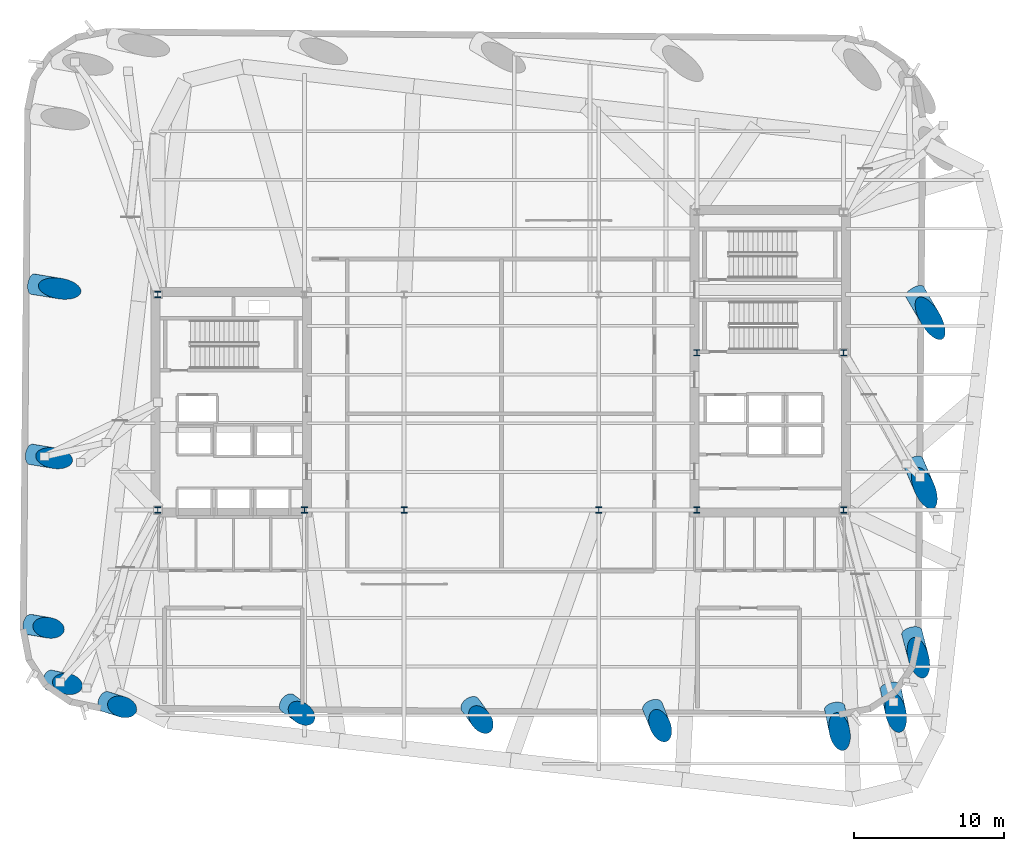
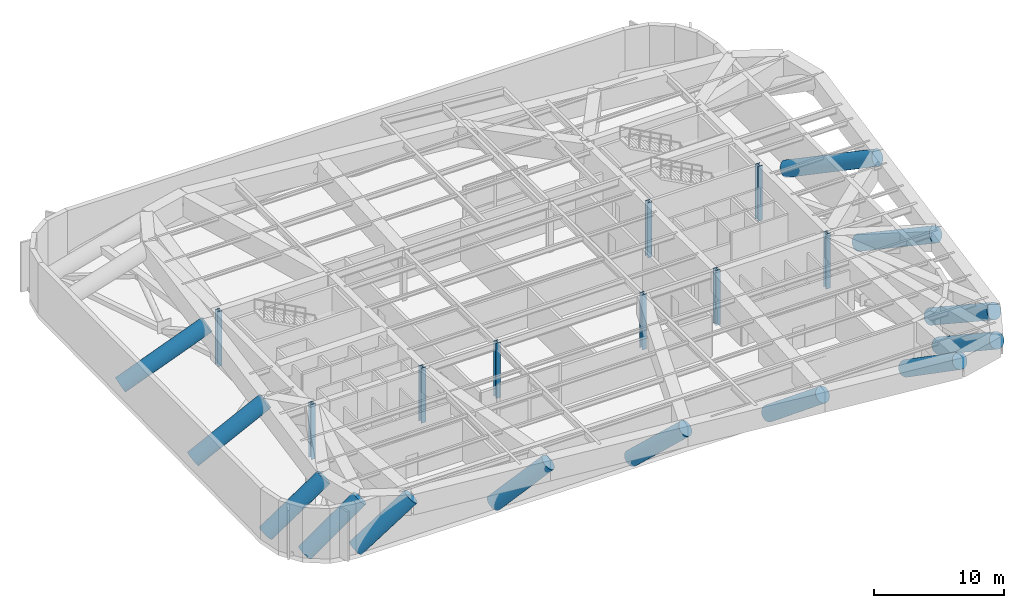
# One storey, part 1 of 13: 22 columns.
"""IFC4 building model written with IfcOpenShell, lengths in metres."""

from ifc_helpers import new_model, si_unit, direction, frame, origin, origin_2d, place, context, subcontext, project, spatial, circle, i_section, extrude, material, material_profile, profile_set, type_object, element, save


model = new_model("IFC4")

# Units and contexts
model_context = context("Model", 3, precision=1e-05, world=origin(), true_north=direction((0.0, 1.0)))
body_context = subcontext(model_context, "Body", "Model", "MODEL_VIEW")
ifc_project = project(units=[si_unit("LENGTHUNIT", "METRE"), si_unit("AREAUNIT", "SQUARE_METRE"), si_unit("VOLUMEUNIT", "CUBIC_METRE"), si_unit("PLANEANGLEUNIT", "RADIAN"), si_unit("MASSUNIT", "GRAM", prefix="KILO")], contexts=[model_context])

# Site, building, storey
site_placement = place(None, origin())
site = spatial("IfcSite", under=ifc_project, at=site_placement, CompositionType="ELEMENT")
building_placement = place(site_placement, origin())
building = spatial("IfcBuilding", under=site, at=building_placement, Name="Kolvaren Arena Tower", CompositionType="ELEMENT")
storey_placement = place(building_placement, frame((0.0, 0.0, 210.949951171875)))
storey = spatial("IfcBuildingStorey", under=building, at=storey_placement, Name="L51", CompositionType="ELEMENT", Elevation=210.949951171875)

# Columns
ifc_material_1 = material(Name="Steel ASTM A913 Grade 65", Category="steel")
ifc_material_profile_1 = material_profile(ifc_material_1, i_section(OverallWidth=0.406005859375, OverallDepth=0.416015625, WebThickness=0.02978515625, FlangeThickness=0.048095703125, FilletRadius=0.02001953125, at=origin_2d()), Name="W360x382")
ifc_profile_set_1 = profile_set([ifc_material_profile_1], Name="Steel ASTM A913 Grade 65")
column_type_1 = type_object("IfcColumnType", Name="SCOL-Z3", PredefinedType="COLUMN", material=ifc_profile_set_1)
for number, where, z_axis, x_axis, name in (
    (1, (14.550048828125, 19.449951171875, -0.419921875), (0.0, 0.0, 1.0), (1.0, 0.0, 0.0), "Core Boundary Column WC-SW (L51)"),
    (2, (24.35009765625, 19.449951171875, -0.419921875), (0.0, 0.0, 1.0), (1.0, 0.0, 0.0), "Core Boundary Column WC-SE (L51)"),
    (3, (14.550048828125, 33.85009765625, -0.419921875), (0.0, 0.0, 1.0), (1.0, 0.0, 0.0), "Core Boundary Column WC-NW (L51)"),
    (4, (50.550048828125, 19.449951171875, -0.419921875), (0.0, 0.0, 1.0), (1.0, 0.0, 0.0), "Core Boundary Column EC-SW (L51)"),
    (5, (60.35009765625, 19.449951171875, -0.419921875), (0.0, 0.0, 1.0), (1.0, 0.0, 0.0), "Core Boundary Column EC-SE (L51)"),
    (6, (50.550048828125, 29.949951171875, -0.419921875), (0.0, 0.0, 1.0), (1.0, 0.0, 0.0), "Core Boundary Column EC-MW (L51)"),
    (7, (60.35009765625, 29.949951171875, -0.419921875), (0.0, 0.0, 1.0), (1.0, 0.0, 0.0), "Core Boundary Column EC-ME (L51)"),
    (8, (31.0, 19.449951171875, -0.419921875), (0.0, 0.0, 1.0), (1.0, 0.0, 0.0), "Interior Gravity Column TC-SW (L51)"),
    (9, (44.0, 19.449951171875, -0.419921875), (0.0, 0.0, 1.0), (1.0, 0.0, 0.0), "Interior Gravity Column TC-SE (L51)"),
):
    element("IfcColumn", number, at=place(storey_placement, frame(where, z_axis=z_axis, x_axis=x_axis)), inside=storey, type_object=column_type_1, Name=name, PredefinedType="COLUMN", context=body_context, shape_type="SweptSolid", body=[
        extrude(i_section(OverallWidth=0.406005859375, OverallDepth=0.416015625, WebThickness=0.02978515625, FlangeThickness=0.048095703125, FilletRadius=0.02001953125, at=origin_2d()), origin(), (0.0, 0.0, 1.0), 5.169921875),
    ])
ifc_material_2 = material(Name="Concrete 80 MPa", Category="concrete")
ifc_material_profile_2 = material_profile(ifc_material_2, circle(Radius=0.68994140625, at=origin_2d()), Name="RC-CIRC-1380")
ifc_profile_set_2 = profile_set([ifc_material_profile_2], Name="Concrete 80 MPa")
column_type_2 = type_object("IfcColumnType", Name="TRCOL-C900", PredefinedType="COLUMN", material=ifc_profile_set_2)
column_1_placement = place(storey_placement, frame((11.0576171875, 6.663330078125, 0.08642578125), z_axis=(0.689502465211, -0.218057841813, 0.690678744491), x_axis=(0.301533994495, 0.953455426417, 0.0)))
element("IfcColumn", 10, at=column_1_placement, inside=storey, type_object=column_type_2, Name="Cantilever Block Inclined Transfer Column 01 (L51)", PredefinedType="COLUMN", context=body_context, shape_type="SweptSolid", body=[
    extrude(circle(Radius=0.68994140625, at=origin_2d()), origin(), (0.0, 0.0, 1.0), 6.01904296875),
])
column_2_placement = place(storey_placement, frame((23.232177734375, 6.55712890625, 0.080078125), z_axis=(0.575626209641, -0.421825120496, 0.700512694027), x_axis=(0.591089562415, 0.806605931793, 0.0)))
element("IfcColumn", 11, at=column_2_placement, inside=storey, type_object=column_type_2, Name="Cantilever Block Inclined Transfer Column 02 (L51)", PredefinedType="COLUMN", context=body_context, shape_type="SweptSolid", body=[
    extrude(circle(Radius=0.68994140625, at=origin_2d()), origin(), (0.0, 0.0, 1.0), 5.95263671875),
])
column_3_placement = place(storey_placement, frame((35.40673828125, 6.45068359375, 0.10009765625), z_axis=(0.437775224398, -0.600769486431, 0.668901246131), x_axis=(0.808190560753, 0.588921062206, 0.0)))
element("IfcColumn", 12, at=column_3_placement, inside=storey, type_object=column_type_2, Name="Cantilever Block Inclined Transfer Column 03 (L51)", PredefinedType="COLUMN", context=body_context, shape_type="SweptSolid", body=[
    extrude(circle(Radius=0.68994140625, at=origin_2d()), origin(), (0.0, 0.0, 1.0), 6.174072265625),
])
column_4_placement = place(storey_placement, frame((47.581298828125, 6.344482421875, 0.1357421875), z_axis=(0.296750915851, -0.735910055568, 0.608584656441), x_axis=(0.927435793905, 0.373982416943, 0.0)))
element("IfcColumn", 13, at=column_4_placement, inside=storey, type_object=column_type_2, Name="Cantilever Block Inclined Transfer Column 04 (L51)", PredefinedType="COLUMN", context=body_context, shape_type="SweptSolid", body=[
    extrude(circle(Radius=0.68994140625, at=origin_2d()), origin(), (0.0, 0.0, 1.0), 6.6689453125),
])
column_5_placement = place(storey_placement, frame((59.755859375, 6.23828125, 0.173095703125), z_axis=(0.169718625876, -0.82536118059, 0.538492812957), x_axis=(0.979505927574, 0.201415336672, 0.0)))
element("IfcColumn", 14, at=column_5_placement, inside=storey, type_object=column_type_2, Name="Cantilever Block Inclined Transfer Column 05 (L51)", PredefinedType="COLUMN", context=body_context, shape_type="SweptSolid", body=[
    extrude(circle(Radius=0.68994140625, at=origin_2d()), origin(), (0.0, 0.0, 1.0), 7.398193359375),
])
column_6_placement = place(storey_placement, frame((63.4765625, 7.59716796875, 0.186767578125), z_axis=(0.178036276609, -0.840630425009, 0.511511068073), x_axis=(0.978300047413, 0.207193188191, 0.0)))
element("IfcColumn", 15, at=column_6_placement, inside=storey, type_object=column_type_2, Name="Cantilever Block Inclined Transfer Column 06 (L51)", PredefinedType="COLUMN", context=body_context, shape_type="SweptSolid", body=[
    extrude(circle(Radius=0.68994140625, at=origin_2d()), origin(), (0.0, 0.0, 1.0), 7.735595703125),
])
column_7_placement = place(storey_placement, frame((64.900146484375, 11.293701171875, 0.1943359375), z_axis=(0.22099242917, -0.839691339256, 0.496065319316), x_axis=(0.967068577751, 0.254515944347, 0.0)))
element("IfcColumn", 16, at=column_7_placement, inside=storey, type_object=column_type_2, Name="Cantilever Block Inclined Transfer Column 07 (L51)", PredefinedType="COLUMN", context=body_context, shape_type="SweptSolid", body=[
    extrude(circle(Radius=0.68994140625, at=origin_2d()), origin(), (0.0, 0.0, 1.0), 7.9453125),
])
column_8_placement = place(storey_placement, frame((64.999267578125, 22.659912109375, 0.208740234375), z_axis=(0.34861189337, -0.813679316814, 0.465183530653), x_axis=(0.919189122107, 0.393816401131, 0.0)))
element("IfcColumn", 17, at=column_8_placement, inside=storey, type_object=column_type_2, Name="Cantilever Block Inclined Transfer Column 08 (L51)", PredefinedType="COLUMN", context=body_context, shape_type="SweptSolid", body=[
    extrude(circle(Radius=0.68994140625, at=origin_2d()), origin(), (0.0, 0.0, 1.0), 8.410888671875),
])
column_9_placement = place(storey_placement, frame((65.098388671875, 34.026123046875, 0.224365234375), z_axis=(0.45602536222, -0.778722653242, 0.430850204061), x_axis=(0.862923768629, 0.505334116734, 0.0)))
element("IfcColumn", 18, at=column_9_placement, inside=storey, type_object=column_type_2, Name="Cantilever Block Inclined Transfer Column 09 (L51)", PredefinedType="COLUMN", context=body_context, shape_type="SweptSolid", body=[
    extrude(circle(Radius=0.68994140625, at=origin_2d()), origin(), (0.0, 0.0, 1.0), 9.009033203125),
])
column_10_placement = place(storey_placement, frame((6.20068359375, 34.5400390625, 0.20166015625), z_axis=(0.865340354074, -0.141558216189, 0.48077785207), x_axis=(0.161440882003, 0.986882384896, 0.0)))
element("IfcColumn", 19, at=column_10_placement, inside=storey, type_object=column_type_2, Name="Cantilever Block Inclined Transfer Column 19 (L51)", PredefinedType="COLUMN", context=body_context, shape_type="SweptSolid", body=[
    extrude(circle(Radius=0.68994140625, at=origin_2d()), origin(), (0.0, 0.0, 1.0), 8.16796875),
])
column_11_placement = place(storey_placement, frame((6.1015625, 23.173828125, 0.163818359375), z_axis=(0.819389125364, -0.136904398867, 0.556649482895), x_axis=(0.164796649257, 0.98632756445, 0.0)))
element("IfcColumn", 20, at=column_11_placement, inside=storey, type_object=column_type_2, Name="Cantilever Block Inclined Transfer Column 20 (L51)", PredefinedType="COLUMN", context=body_context, shape_type="SweptSolid", body=[
    extrude(circle(Radius=0.68994140625, at=origin_2d()), origin(), (0.0, 0.0, 1.0), 7.190185546875),
])
column_12_placement = place(storey_placement, frame((6.002197265625, 11.8076171875, 0.11083984375), z_axis=(0.747700596596, -0.128791089044, 0.651426644552), x_axis=(0.169749724601, 0.985487204888, 0.0)))
element("IfcColumn", 21, at=column_12_placement, inside=storey, type_object=column_type_2, Name="Cantilever Block Inclined Transfer Column 21 (L51)", PredefinedType="COLUMN", context=body_context, shape_type="SweptSolid", body=[
    extrude(circle(Radius=0.68994140625, at=origin_2d()), origin(), (0.0, 0.0, 1.0), 6.306884765625),
])
column_13_placement = place(storey_placement, frame((7.361083984375, 8.0869140625, 0.09033203125), z_axis=(0.712536580552, -0.154090264368, 0.684505523573), x_axis=(0.211369879829, 0.977406145827, 0.0)))
element("IfcColumn", 22, at=column_13_placement, inside=storey, type_object=column_type_2, Name="Cantilever Block Inclined Transfer Column 22 (L51)", PredefinedType="COLUMN", context=body_context, shape_type="SweptSolid", body=[
    extrude(circle(Radius=0.68994140625, at=origin_2d()), origin(), (0.0, 0.0, 1.0), 6.06201171875),
])

save(model, "model.ifc")
